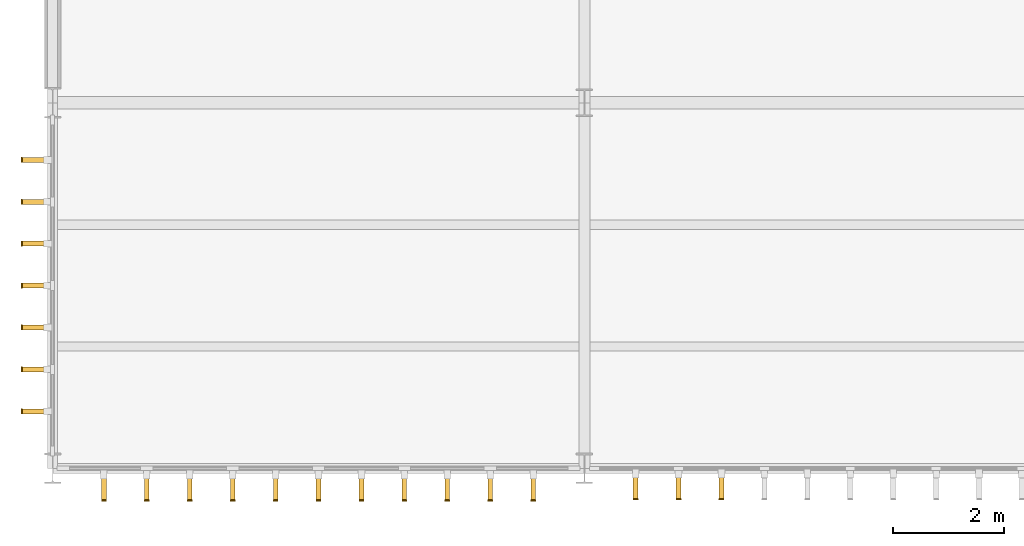
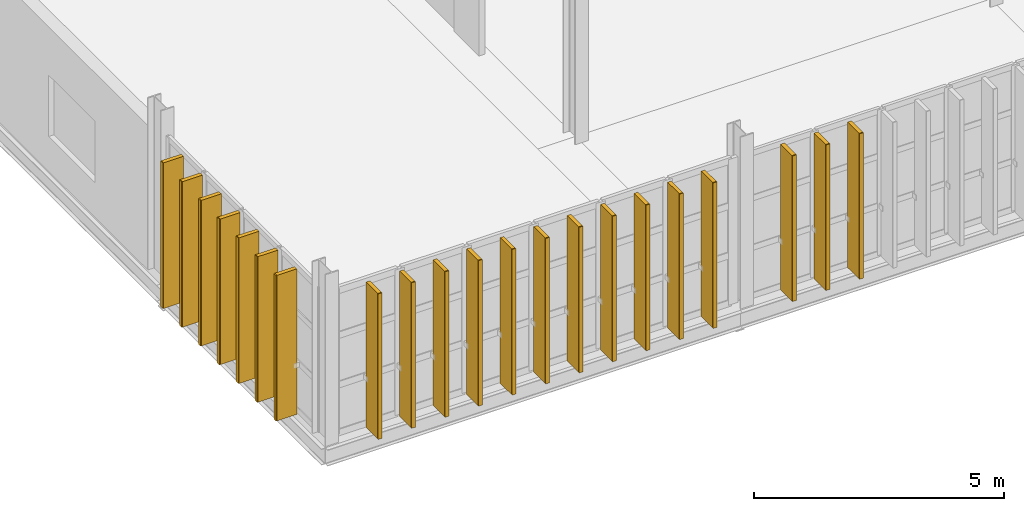
# One storey, part 37 of 52: 21 coverings, 21 shading devices.
"""IFC4 building model written with IfcOpenShell, lengths in metres."""

from ifc_helpers import new_model, si_unit, direction, frame, origin, origin_2d, place, context, subcontext, project, spatial, rectangle, extrude, material, layer, layer_set, type_object, element, save


model = new_model("IFC4")

# Units and contexts
model_context = context("Model", 3, precision=1e-05, world=origin(), true_north=direction((0.0, 1.0)))
body_context = subcontext(model_context, "Body", "Model", "MODEL_VIEW")
ifc_project = project(units=[si_unit("LENGTHUNIT", "METRE"), si_unit("AREAUNIT", "SQUARE_METRE"), si_unit("VOLUMEUNIT", "CUBIC_METRE"), si_unit("PLANEANGLEUNIT", "RADIAN"), si_unit("MASSUNIT", "GRAM", prefix="KILO")], contexts=[model_context])

# Site, building, storey
site_placement = place(None, origin())
site = spatial("IfcSite", under=ifc_project, at=site_placement, CompositionType="ELEMENT")
building_placement = place(site_placement, origin())
building = spatial("IfcBuilding", under=site, at=building_placement, Name="Zarnetskaya Central Station", CompositionType="ELEMENT")
storey_placement = place(building_placement, frame((0.0, 0.0, 14.39990234375)))
storey = spatial("IfcBuildingStorey", under=building, at=storey_placement, Name="L03", CompositionType="ELEMENT", Elevation=14.39990234375)

# Coverings
ifc_material_1 = material(Name="Treated larch timber", Category="wood")
ifc_layer = layer(ifc_material_1, 0.02001953125, Name="Treated larch timber", Category="wood")
ifc_layer_set = layer_set([ifc_layer], Name="Treated larch timber")
covering_type = type_object("IfcCoveringType", Name="COV-LARCH-CAP", PredefinedType="CLADDING", material=ifc_layer_set)
for number, where, z_axis, x_axis, name in (
    (1, (-0.56005859375, 1.03125, 0.0), (0.0, 0.0, 1.0), (0.0, 1.0, 0.0), "Larch fin weather cap CW-L03-031-01"),
    (2, (-0.56005859375, 1.78759765625, 0.0), (0.0, 0.0, 1.0), (0.0, 1.0, 0.0), "Larch fin weather cap CW-L03-031-02"),
    (3, (-0.56005859375, 2.543701171875, 0.0), (0.0, 0.0, 1.0), (0.0, 1.0, 0.0), "Larch fin weather cap CW-L03-031-03"),
    (4, (-0.56005859375, 3.300048828125, 0.0), (0.0, 0.0, 1.0), (0.0, 1.0, 0.0), "Larch fin weather cap CW-L03-031-04"),
    (5, (-0.56005859375, 4.05615234375, 0.0), (0.0, 0.0, 1.0), (0.0, 1.0, 0.0), "Larch fin weather cap CW-L03-031-05"),
    (6, (-0.56005859375, 4.8125, 0.0), (0.0, 0.0, 1.0), (0.0, 1.0, 0.0), "Larch fin weather cap CW-L03-031-06"),
    (7, (-0.56005859375, 5.56884765625, 0.0), (0.0, 0.0, 1.0), (0.0, 1.0, 0.0), "Larch fin weather cap CW-L03-031-07"),
    (8, (12.074951171875, -0.56005859375, 0.0), (0.0, 0.0, 1.0), (-1.0, 0.0, 0.0), "Larch fin weather cap CW-L03-045-09"),
    (9, (11.300048828125, -0.56005859375, 0.0), (0.0, 0.0, 1.0), (-1.0, 0.0, 0.0), "Larch fin weather cap CW-L03-045-10"),
    (10, (10.52490234375, -0.56005859375, 0.0), (0.0, 0.0, 1.0), (-1.0, 0.0, 0.0), "Larch fin weather cap CW-L03-045-11"),
):
    element("IfcCovering", number, at=place(storey_placement, frame(where, z_axis=z_axis, x_axis=x_axis)), inside=storey, type_object=covering_type, Name=name, PredefinedType="CLADDING", context=body_context, shape_type="SweptSolid", body=[
        extrude(rectangle(XDim=0.090087890625, YDim=0.02001953125, at=origin_2d()), origin(), (0.0, 0.0, 1.0), 3.56005859375),
    ])
for number, where, z_axis, x_axis, name in (
    (11, (8.675048828125, -0.580078125, 0.0), (0.0, 0.0, 1.0), (-1.0, 0.0, 0.0), "Larch fin weather cap CW-L03-046-01"),
    (12, (7.89990234375, -0.580078125, 0.0), (0.0, 0.0, 1.0), (-1.0, 0.0, 0.0), "Larch fin weather cap CW-L03-046-02"),
    (13, (7.125, -0.580078125, 0.0), (0.0, 0.0, 1.0), (-1.0, 0.0, 0.0), "Larch fin weather cap CW-L03-046-03"),
    (14, (6.35009765625, -0.580078125, 0.0), (0.0, 0.0, 1.0), (-1.0, 0.0, 0.0), "Larch fin weather cap CW-L03-046-04"),
    (15, (5.574951171875, -0.580078125, 0.0), (0.0, 0.0, 1.0), (-1.0, 0.0, 0.0), "Larch fin weather cap CW-L03-046-05"),
    (16, (4.800048828125, -0.580078125, 0.0), (0.0, 0.0, 1.0), (-1.0, 0.0, 0.0), "Larch fin weather cap CW-L03-046-06"),
    (17, (4.02490234375, -0.580078125, 0.0), (0.0, 0.0, 1.0), (-1.0, 0.0, 0.0), "Larch fin weather cap CW-L03-046-07"),
    (18, (3.25, -0.580078125, 0.0), (0.0, 0.0, 1.0), (-1.0, 0.0, 0.0), "Larch fin weather cap CW-L03-046-08"),
    (19, (2.47509765625, -0.580078125, 0.0), (0.0, 0.0, 1.0), (-1.0, 0.0, 0.0), "Larch fin weather cap CW-L03-046-09"),
    (20, (1.699951171875, -0.580078125, 0.0), (0.0, 0.0, 1.0), (-1.0, 0.0, 0.0), "Larch fin weather cap CW-L03-046-10"),
    (21, (0.925048828125, -0.580078125, 0.0), (0.0, 0.0, 1.0), (-1.0, 0.0, 0.0), "Larch fin weather cap CW-L03-046-11"),
):
    element("IfcCovering", number, at=place(storey_placement, frame(where, z_axis=z_axis, x_axis=x_axis)), inside=storey, type_object=covering_type, Name=name, PredefinedType="CLADDING", context=body_context, shape_type="SweptSolid", body=[
        extrude(rectangle(XDim=0.0849609375, YDim=0.02001953125, at=origin_2d()), origin(), (0.0, 0.0, 1.0), 3.56005859375),
    ])

# Shading devices
ifc_material_2 = material(Name="Larch glulam GL28h", Category="wood")
shading_device_type_1 = type_object("IfcShadingDeviceType", Name="SHD-LARCH-FIN-A", PredefinedType="USERDEFINED", material=ifc_material_2)
for number, where, z_axis, x_axis, name in (
    (22, (-0.320068359375, 1.03125, 0.0), (0.0, 0.0, 1.0), (0.0, 1.0, 0.0), "Vertical larch timber fin CW-L03-031-01"),
    (23, (-0.320068359375, 1.78759765625, 0.0), (0.0, 0.0, 1.0), (0.0, 1.0, 0.0), "Vertical larch timber fin CW-L03-031-02"),
    (24, (-0.320068359375, 2.543701171875, 0.0), (0.0, 0.0, 1.0), (0.0, 1.0, 0.0), "Vertical larch timber fin CW-L03-031-03"),
    (25, (-0.320068359375, 3.300048828125, 0.0), (0.0, 0.0, 1.0), (0.0, 1.0, 0.0), "Vertical larch timber fin CW-L03-031-04"),
    (26, (-0.320068359375, 4.05615234375, 0.0), (0.0, 0.0, 1.0), (0.0, 1.0, 0.0), "Vertical larch timber fin CW-L03-031-05"),
    (27, (-0.320068359375, 4.8125, 0.0), (0.0, 0.0, 1.0), (0.0, 1.0, 0.0), "Vertical larch timber fin CW-L03-031-06"),
    (28, (-0.320068359375, 5.56884765625, 0.0), (0.0, 0.0, 1.0), (0.0, 1.0, 0.0), "Vertical larch timber fin CW-L03-031-07"),
    (29, (12.074951171875, -0.320068359375, 0.0), (0.0, 0.0, 1.0), (-1.0, 0.0, 0.0), "Vertical larch timber fin CW-L03-045-09"),
    (30, (11.300048828125, -0.320068359375, 0.0), (0.0, 0.0, 1.0), (-1.0, 0.0, 0.0), "Vertical larch timber fin CW-L03-045-10"),
    (31, (10.52490234375, -0.320068359375, 0.0), (0.0, 0.0, 1.0), (-1.0, 0.0, 0.0), "Vertical larch timber fin CW-L03-045-11"),
):
    element("IfcShadingDevice", number, at=place(storey_placement, frame(where, z_axis=z_axis, x_axis=x_axis)), inside=storey, type_object=shading_device_type_1, Name=name, ObjectType="TIMBER FIN", PredefinedType="USERDEFINED", context=body_context, shape_type="SweptSolid", body=[
        extrude(rectangle(XDim=0.090087890625, YDim=0.4599609375, at=origin_2d()), origin(), (0.0, 0.0, 1.0), 3.56005859375),
    ])
shading_device_type_2 = type_object("IfcShadingDeviceType", Name="SHD-LARCH-FIN-B", PredefinedType="USERDEFINED", material=ifc_material_2)
for number, where, z_axis, x_axis, name in (
    (32, (8.675048828125, -0.340087890625, 0.0), (0.0, 0.0, 1.0), (-1.0, 0.0, 0.0), "Vertical larch timber fin CW-L03-046-01"),
    (33, (7.89990234375, -0.340087890625, 0.0), (0.0, 0.0, 1.0), (-1.0, 0.0, 0.0), "Vertical larch timber fin CW-L03-046-02"),
    (34, (7.125, -0.340087890625, 0.0), (0.0, 0.0, 1.0), (-1.0, 0.0, 0.0), "Vertical larch timber fin CW-L03-046-03"),
    (35, (6.35009765625, -0.340087890625, 0.0), (0.0, 0.0, 1.0), (-1.0, 0.0, 0.0), "Vertical larch timber fin CW-L03-046-04"),
    (36, (5.574951171875, -0.340087890625, 0.0), (0.0, 0.0, 1.0), (-1.0, 0.0, 0.0), "Vertical larch timber fin CW-L03-046-05"),
    (37, (4.800048828125, -0.340087890625, 0.0), (0.0, 0.0, 1.0), (-1.0, 0.0, 0.0), "Vertical larch timber fin CW-L03-046-06"),
    (38, (4.02490234375, -0.340087890625, 0.0), (0.0, 0.0, 1.0), (-1.0, 0.0, 0.0), "Vertical larch timber fin CW-L03-046-07"),
    (39, (3.25, -0.340087890625, 0.0), (0.0, 0.0, 1.0), (-1.0, 0.0, 0.0), "Vertical larch timber fin CW-L03-046-08"),
    (40, (2.47509765625, -0.340087890625, 0.0), (0.0, 0.0, 1.0), (-1.0, 0.0, 0.0), "Vertical larch timber fin CW-L03-046-09"),
    (41, (1.699951171875, -0.340087890625, 0.0), (0.0, 0.0, 1.0), (-1.0, 0.0, 0.0), "Vertical larch timber fin CW-L03-046-10"),
    (42, (0.925048828125, -0.340087890625, 0.0), (0.0, 0.0, 1.0), (-1.0, 0.0, 0.0), "Vertical larch timber fin CW-L03-046-11"),
):
    element("IfcShadingDevice", number, at=place(storey_placement, frame(where, z_axis=z_axis, x_axis=x_axis)), inside=storey, type_object=shading_device_type_2, Name=name, ObjectType="TIMBER FIN", PredefinedType="USERDEFINED", context=body_context, shape_type="SweptSolid", body=[
        extrude(rectangle(XDim=0.0849609375, YDim=0.4599609375, at=origin_2d()), origin(), (0.0, 0.0, 1.0), 3.56005859375),
    ])

save(model, "model.ifc")
